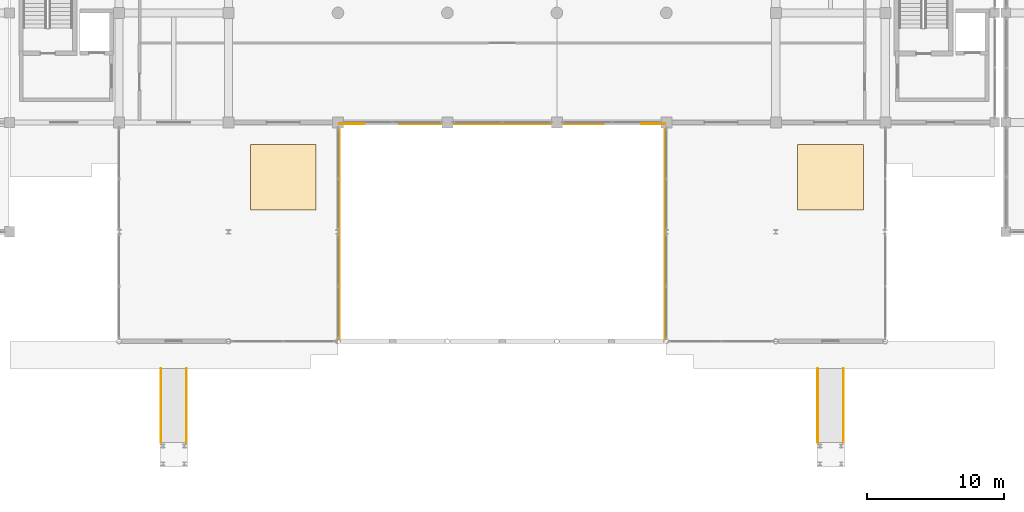
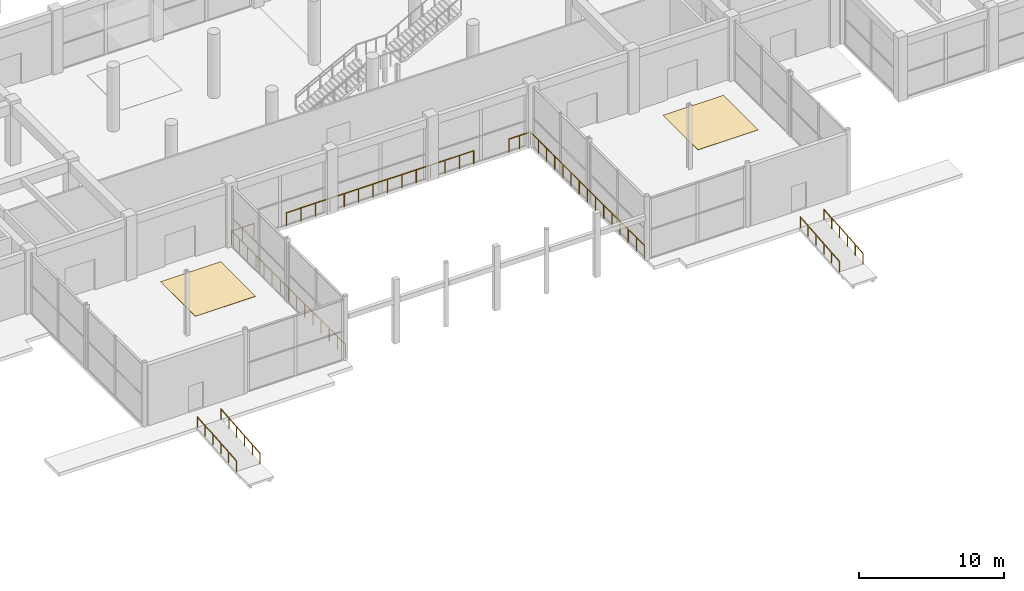
# One storey, part 70 of 86: 9 railings, 2 coverings.
"""IFC4 building model written with IfcOpenShell, lengths in metres."""

import ifcopenshell
import ifcopenshell.guid

model = None  # the IFC model being written
_history = None  # IfcOwnerHistory: only IFC2X3 demands one
_inside = {}  # id of a spatial element -> (the spatial element, [elements in it])
_under = {}  # id of a project, library or spatial element -> (it, [spatial elements below it])
_declared = {}  # id of a project -> (the project, [libraries it declares])
_typed = {}  # id of a type object -> (the type object, [elements of that type])
_made_of = {}  # id of a material, layer set ... -> (it, [elements and type objects made of it])


def new_model(schema):
    """Start an empty IFC model of exactly this schema.

    Asked for "IFC4X3", IfcOpenShell would pick the latest addendum, in which some entities
    have other attributes; the version numbers below select the first issue.
    IFC2X3 requires an IfcOwnerHistory on every rooted entity: one is made here for all.
    """
    global model, _history
    if schema == "IFC4X3":
        model = ifcopenshell.file(schema_version=(4, 3, 0, 0))
    else:
        model = ifcopenshell.file(schema=schema)
    _inside.clear()
    _under.clear()
    _declared.clear()
    _typed.clear()
    _made_of.clear()
    _history = None
    if model.schema == "IFC2X3":
        org = make("IfcOrganization", Name="unknown")
        user = make(
            "IfcPersonAndOrganization",
            ThePerson=make("IfcPerson", FamilyName="unknown"),
            TheOrganization=org,
        )
        app = make(
            "IfcApplication",
            ApplicationDeveloper=org,
            Version="unknown",
            ApplicationFullName="unknown",
            ApplicationIdentifier="unknown",
        )
        _history = make(
            "IfcOwnerHistory",
            OwningUser=user,
            OwningApplication=app,
            ChangeAction="ADDED",
            CreationDate=0,
        )
    return model


def make(cls, **values):
    """One entity of the class cls with the attributes given. An attribute that is None is left unset."""
    return model.create_entity(
        cls, **{name: value for name, value in values.items() if value is not None}
    )


def rooted(cls, **values):
    """An entity with a GlobalId (a new one), such as an element, a storey or a relation."""
    return make(cls, GlobalId=ifcopenshell.guid.new(), OwnerHistory=_history, **values)


def si_unit(unit_type, name, prefix=None):
    """IfcSIUnit, for example si_unit("LENGTHUNIT", "METRE", prefix="MILLI")."""
    return make("IfcSIUnit", UnitType=unit_type, Prefix=prefix, Name=name)


def assignment(units):
    """IfcUnitAssignment: the units of a project."""
    return None if units is None else make("IfcUnitAssignment", Units=units)


def point(xyz):
    """IfcCartesianPoint."""
    return None if xyz is None else make("IfcCartesianPoint", Coordinates=xyz)


def direction(xyz):
    """IfcDirection."""
    return None if xyz is None else make("IfcDirection", DirectionRatios=xyz)


def frame(location, z_axis=None, x_axis=None):
    """IfcAxis2Placement3D, a coordinate frame: its origin and axes. An axis left out is left unset."""
    return make(
        "IfcAxis2Placement3D",
        Location=point(location),
        Axis=direction(z_axis),
        RefDirection=direction(x_axis),
    )


def frame_2d(location, x_axis=None):
    """IfcAxis2Placement2D, a coordinate frame in the plane: its origin and x axis."""
    return make(
        "IfcAxis2Placement2D", Location=point(location), RefDirection=direction(x_axis)
    )


def origin():
    """The frame at (0, 0, 0) with its axes left unset."""
    return frame((0.0, 0.0, 0.0))


def origin_2d():
    """The frame at (0, 0) in the plane with its x axis left unset."""
    return frame_2d((0.0, 0.0))


def place(relative_to, where):
    """IfcLocalPlacement: puts the frame where relative to a parent placement (None: the world)."""
    return make(
        "IfcLocalPlacement", PlacementRelTo=relative_to, RelativePlacement=where
    )


def context(
    kind, dimensions, precision=None, world=None, true_north=None, identifier=None
):
    """IfcGeometricRepresentationContext, for example the 3D "Model" context."""
    return make(
        "IfcGeometricRepresentationContext",
        ContextIdentifier=identifier,
        ContextType=kind,
        CoordinateSpaceDimension=dimensions,
        Precision=precision,
        WorldCoordinateSystem=world,
        TrueNorth=true_north,
    )


def subcontext(parent, identifier, kind, view, scale=None):
    """IfcGeometricRepresentationSubContext, for example "Body" below "Model"."""
    return make(
        "IfcGeometricRepresentationSubContext",
        ContextIdentifier=identifier,
        ContextType=kind,
        ParentContext=parent,
        TargetScale=scale,
        TargetView=view,
    )


def project(units=None, contexts=None):
    """IfcProject with its units and contexts."""
    return rooted(
        "IfcProject",
        Name="project",
        RepresentationContexts=contexts,
        UnitsInContext=assignment(units),
    )


def spatial(cls, under=None, at=None, **own):
    """A site, building, storey or space (cls), placed at a placement, below another one or the project."""
    s = rooted(cls, ObjectPlacement=at, **own)
    if under is not None:
        _under.setdefault(under.id(), (under, []))[1].append(s)
    return s


def profile(cls, at=None, kind="AREA", **sizes):
    """A parametric profile (cls). Its sizes go by their IFC names, for example OverallWidth=200.0."""
    return make(cls, ProfileType=kind, Position=at, **sizes)


def rectangle(**sizes):
    """IfcRectangleProfileDef."""
    return profile("IfcRectangleProfileDef", **sizes)


def circle(**sizes):
    """IfcCircleProfileDef."""
    return profile("IfcCircleProfileDef", **sizes)


def extrude(swept, where, along, depth):
    """IfcExtrudedAreaSolid: the profile swept, set in the frame where, extruded along a direction by depth."""
    return make(
        "IfcExtrudedAreaSolid",
        SweptArea=swept,
        Position=where,
        ExtrudedDirection=direction(along),
        Depth=depth,
    )


def shape(context_of_items, identifier, shape_type, items):
    """IfcShapeRepresentation: the items that make up one representation, for example the "Body"."""
    return make(
        "IfcShapeRepresentation",
        ContextOfItems=context_of_items,
        RepresentationIdentifier=identifier,
        RepresentationType=shape_type,
        Items=items,
    )


def material(Name=None, Category=None):
    """IfcMaterial."""
    return make("IfcMaterial", Name=Name, Category=Category)


def layer(
    of_material, thickness, ventilated=None, Name=None, Category=None, Priority=None
):
    """IfcMaterialLayer: one layer of a wall or slab, of a material (None: an air gap)."""
    return make(
        "IfcMaterialLayer",
        Material=of_material,
        LayerThickness=thickness,
        IsVentilated=ventilated,
        Name=Name,
        Category=Category,
        Priority=Priority,
    )


def layer_set(layers, Name=None):
    """IfcMaterialLayerSet."""
    return make("IfcMaterialLayerSet", MaterialLayers=layers, LayerSetName=Name)


def made_of(thing, what):
    """Note that an element or type object is made of a material, layer set ...; save() writes the relation."""
    if what is not None:
        _made_of.setdefault(what.id(), (what, []))[1].append(thing)
    return thing


def type_object(cls, material=None, **own):
    """A type object (cls), such as IfcWallType, which elements share."""
    return made_of(rooted(cls, **own), material)


def element(
    cls,
    number,
    at=None,
    inside=None,
    cuts=None,
    type_object=None,
    material=None,
    context=None,
    identifier="Body",
    shape_type=None,
    held_by="IfcProductDefinitionShape",
    body=None,
    shapes=None,
    **own,
):
    """One element of the class cls, such as IfcWall. Its Tag is "e" and its number.

    at: its placement. inside: the storey or other place that contains it. cuts: it is an
    opening in that element (IfcRelVoidsElement). A single representation is given by context,
    identifier, shape_type and body (its items); several are given by shapes. held_by: the class
    of the entity that holds the representations. save() writes the other relations.
    """
    e = rooted(cls, Tag="e%d" % number, ObjectPlacement=at, **own)
    if body is not None:
        shapes = [shape(context, identifier, shape_type, body)]
    if shapes is not None:
        e.Representation = make(held_by, Representations=shapes)
    if inside is not None:
        _inside.setdefault(inside.id(), (inside, []))[1].append(e)
    if cuts is not None:
        rooted(
            "IfcRelVoidsElement", RelatingBuildingElement=cuts, RelatedOpeningElement=e
        )
    if type_object is not None:
        _typed.setdefault(type_object.id(), (type_object, []))[1].append(e)
    return made_of(e, material)


def aggregate(whole, parts):
    """IfcRelAggregates: a whole, such as a stair, and the parts it consists of."""
    return rooted("IfcRelAggregates", RelatingObject=whole, RelatedObjects=parts)


def save(model, path):
    """Write the relations noted so far, then the file.

    IfcRelAggregates (storeys below a building ...), IfcRelContainedInSpatialStructure (elements
    in a storey), IfcRelDefinesByType, IfcRelAssociatesMaterial and IfcRelDeclares: one each for
    every whole, place, type object, material and project.
    """
    for whole, parts in _under.values():
        aggregate(whole, parts)
    for where, things in _inside.values():
        rooted(
            "IfcRelContainedInSpatialStructure",
            RelatedElements=things,
            RelatingStructure=where,
        )
    for kind, things in _typed.values():
        rooted("IfcRelDefinesByType", RelatedObjects=things, RelatingType=kind)
    for what, things in _made_of.values():
        rooted("IfcRelAssociatesMaterial", RelatedObjects=things, RelatingMaterial=what)
    for by, libraries in _declared.values():
        rooted("IfcRelDeclares", RelatingContext=by, RelatedDefinitions=libraries)
    model.write(path)


model = new_model("IFC4")

# Units and contexts
model_context = context("Model", 3, precision=1e-05, world=origin(), true_north=direction((0.0, 1.0)))
body_context = subcontext(model_context, "Body", "Model", "MODEL_VIEW")
ifc_project = project(units=[si_unit("LENGTHUNIT", "METRE"), si_unit("AREAUNIT", "SQUARE_METRE"), si_unit("VOLUMEUNIT", "CUBIC_METRE"), si_unit("PLANEANGLEUNIT", "RADIAN"), si_unit("MASSUNIT", "GRAM", prefix="KILO")], contexts=[model_context])

# Site, building, storey
site_placement = place(None, origin())
site = spatial("IfcSite", under=ifc_project, at=site_placement, CompositionType="ELEMENT")
building_placement = place(site_placement, origin())
building = spatial("IfcBuilding", under=site, at=building_placement, Name="Kenh Van Central Station", CompositionType="ELEMENT")
storey_placement = place(building_placement, origin())
storey = spatial("IfcBuildingStorey", under=building, at=storey_placement, Name="L00", CompositionType="ELEMENT", Elevation=0.0)

# Coverings
ifc_material_1 = material(Name="Polished station granite terrazzo", Category="masonry")
ifc_layer = layer(ifc_material_1, 0.02001953125, Name="Polished station granite terrazzo")
ifc_layer_set = layer_set([ifc_layer], Name="Polished station granite terrazzo")
covering_type = type_object("IfcCoveringType", Name="COV-FLR-GRANITE", PredefinedType="FLOORING", material=ifc_layer_set)
for number, where, z_axis, x_axis, name in (
    (1, (68.0, 12.0, 0.0), (0.0, 0.0, 1.0), (1.0, 0.0, 0.0), "L00 granite floor finish 025"),
    (2, (108.0, 12.0, 0.0), (0.0, 0.0, 1.0), (1.0, 0.0, 0.0), "L00 granite floor finish 026"),
):
    element("IfcCovering", number, at=place(storey_placement, frame(where, z_axis=z_axis, x_axis=x_axis)), inside=storey, type_object=covering_type, Name=name, PredefinedType="FLOORING", context=body_context, shape_type="SweptSolid", body=[
        extrude(rectangle(XDim=4.800048828125, YDim=4.800048828125, at=origin_2d()), origin(), (0.0, 0.0, 1.0), 0.02001953125),
    ])

# Railings
ifc_material_2 = material(Name="Champagne anodised aluminium", Category="aluminium")
railing_type_1 = type_object("IfcRailingType", Name="RAIL-CORE-HND90", PredefinedType="HANDRAIL", material=ifc_material_2)
for number, where, name in (
    (3, (60.93994140625, -7.39990234375, -0.449951171875), "Forecourt West Drop-Off Accessible Ramp handrail 1"),
    (4, (59.06005859375, -7.39990234375, -0.449951171875), "Forecourt West Drop-Off Accessible Ramp handrail 2"),
    (5, (108.93994140625, -7.39990234375, -0.449951171875), "Forecourt East Drop-Off Accessible Ramp handrail 1"),
    (6, (107.06005859375, -7.39990234375, -0.449951171875), "Forecourt East Drop-Off Accessible Ramp handrail 2"),
):
    element("IfcRailing", number, at=place(storey_placement, frame(where)), inside=storey, type_object=railing_type_1, Name=name, PredefinedType="HANDRAIL", context=body_context, shape_type="SweptSolid", body=[
        extrude(circle(Radius=0.02392578125, at=origin_2d()), frame((0.0, 0.0, 0.8759765625), z_axis=(0.0, 0.996546379678, 0.083038022323), x_axis=(-1.0, 0.0, 0.0)), (0.0, 0.0, 1.0), 5.418701171875),
        extrude(circle(Radius=0.02099609375, at=origin_2d()), origin(), (0.0, 0.0, 1.0), 0.851806640625),
        extrude(circle(Radius=0.02099609375, at=origin_2d()), frame((0.0, 1.080078125, 0.090087890625)), (0.0, 0.0, 1.0), 0.851806640625),
        extrude(circle(Radius=0.02099609375, at=origin_2d()), frame((0.0, 2.159912109375, 0.179931640625)), (0.0, 0.0, 1.0), 0.851806640625),
        extrude(circle(Radius=0.02099609375, at=origin_2d()), frame((0.0, 3.239990234375, 0.27001953125)), (0.0, 0.0, 1.0), 0.851806640625),
        extrude(circle(Radius=0.02099609375, at=origin_2d()), frame((0.0, 4.31982421875, 0.35986328125)), (0.0, 0.0, 1.0), 0.851806640625),
        extrude(circle(Radius=0.02099609375, at=origin_2d()), frame((0.0, 5.39990234375, 0.449951171875)), (0.0, 0.0, 1.0), 0.851806640625),
    ])
railing_type_2 = type_object("IfcRailingType", Name="RAIL-PUB-BAL112", PredefinedType="BALUSTRADE", material=ifc_material_2)
railing_1_placement = place(storey_placement, frame((72.10009765625, 15.89990234375, 0.0)))
element("IfcRailing", 7, at=railing_1_placement, inside=storey, type_object=railing_type_2, Name="L00 atrium void balustrade 01", PredefinedType="BALUSTRADE", context=body_context, shape_type="SweptSolid", body=[
    extrude(circle(Radius=0.02392578125, at=origin_2d()), frame((0.0, 0.0, 1.09619140625), z_axis=(1.0, 0.0, 0.0), x_axis=(0.0, 1.0, 0.0)), (0.0, 0.0, 1.0), 1.7998046875),
    extrude(circle(Radius=0.02099609375, at=origin_2d()), origin(), (0.0, 0.0, 1.0), 1.072021484375),
    extrude(circle(Radius=0.02099609375, at=origin_2d()), frame((0.89990234375, 0.0, 0.0)), (0.0, 0.0, 1.0), 1.072021484375),
    extrude(circle(Radius=0.02099609375, at=origin_2d()), frame((1.7998046875, 0.0, 0.0)), (0.0, 0.0, 1.0), 1.072021484375),
])
railing_2_placement = place(storey_placement, frame((76.5, 15.89990234375, 0.0)))
element("IfcRailing", 8, at=railing_2_placement, inside=storey, type_object=railing_type_2, Name="L00 atrium void balustrade 02", PredefinedType="BALUSTRADE", context=body_context, shape_type="SweptSolid", body=[
    extrude(circle(Radius=0.02392578125, at=origin_2d()), frame((0.0, 0.0, 1.09619140625), z_axis=(1.0, 0.0, 0.0), x_axis=(0.0, 1.0, 0.0)), (0.0, 0.0, 1.0), 14.89990234375),
    extrude(circle(Radius=0.02099609375, at=origin_2d()), origin(), (0.0, 0.0, 1.0), 1.072021484375),
    extrude(circle(Radius=0.02099609375, at=origin_2d()), frame((1.146240234375, 0.0, 0.0)), (0.0, 0.0, 1.0), 1.072021484375),
    extrude(circle(Radius=0.02099609375, at=origin_2d()), frame((2.292236328125, 0.0, 0.0)), (0.0, 0.0, 1.0), 1.072021484375),
    extrude(circle(Radius=0.02099609375, at=origin_2d()), frame((3.4384765625, 0.0, 0.0)), (0.0, 0.0, 1.0), 1.072021484375),
    extrude(circle(Radius=0.02099609375, at=origin_2d()), frame((4.58447265625, 0.0, 0.0)), (0.0, 0.0, 1.0), 1.072021484375),
    extrude(circle(Radius=0.02099609375, at=origin_2d()), frame((5.730712890625, 0.0, 0.0)), (0.0, 0.0, 1.0), 1.072021484375),
    extrude(circle(Radius=0.02099609375, at=origin_2d()), frame((6.876953125, 0.0, 0.0)), (0.0, 0.0, 1.0), 1.072021484375),
    extrude(circle(Radius=0.02099609375, at=origin_2d()), frame((8.02294921875, 0.0, 0.0)), (0.0, 0.0, 1.0), 1.072021484375),
    extrude(circle(Radius=0.02099609375, at=origin_2d()), frame((9.169189453125, 0.0, 0.0)), (0.0, 0.0, 1.0), 1.072021484375),
    extrude(circle(Radius=0.02099609375, at=origin_2d()), frame((10.3154296875, 0.0, 0.0)), (0.0, 0.0, 1.0), 1.072021484375),
    extrude(circle(Radius=0.02099609375, at=origin_2d()), frame((11.46142578125, 0.0, 0.0)), (0.0, 0.0, 1.0), 1.072021484375),
    extrude(circle(Radius=0.02099609375, at=origin_2d()), frame((12.607666015625, 0.0, 0.0)), (0.0, 0.0, 1.0), 1.072021484375),
    extrude(circle(Radius=0.02099609375, at=origin_2d()), frame((13.753662109375, 0.0, 0.0)), (0.0, 0.0, 1.0), 1.072021484375),
    extrude(circle(Radius=0.02099609375, at=origin_2d()), frame((14.89990234375, 0.0, 0.0)), (0.0, 0.0, 1.0), 1.072021484375),
])
railing_3_placement = place(storey_placement, frame((94.199951171875, 15.89990234375, 0.0)))
element("IfcRailing", 9, at=railing_3_placement, inside=storey, type_object=railing_type_2, Name="L00 atrium void balustrade 03", PredefinedType="BALUSTRADE", context=body_context, shape_type="SweptSolid", body=[
    extrude(circle(Radius=0.02392578125, at=origin_2d()), frame((0.0, 0.0, 1.09619140625), z_axis=(1.0, 0.0, 0.0), x_axis=(0.0, 1.0, 0.0)), (0.0, 0.0, 1.0), 1.699951171875),
    extrude(circle(Radius=0.02099609375, at=origin_2d()), origin(), (0.0, 0.0, 1.0), 1.072021484375),
    extrude(circle(Radius=0.02099609375, at=origin_2d()), frame((0.85009765625, 0.0, 0.0)), (0.0, 0.0, 1.0), 1.072021484375),
    extrude(circle(Radius=0.02099609375, at=origin_2d()), frame((1.699951171875, 0.0, 0.0)), (0.0, 0.0, 1.0), 1.072021484375),
])
railing_4_placement = place(storey_placement, frame((72.10009765625, 0.14990234375, 0.0)))
element("IfcRailing", 10, at=railing_4_placement, inside=storey, type_object=railing_type_2, Name="L00 atrium void balustrade 04", PredefinedType="BALUSTRADE", context=body_context, shape_type="SweptSolid", body=[
    extrude(circle(Radius=0.02392578125, at=origin_2d()), frame((0.0, 0.0, 1.09619140625), z_axis=(0.0, 1.0, 0.0), x_axis=(-1.0, 0.0, 0.0)), (0.0, 0.0, 1.0), 15.75),
    extrude(circle(Radius=0.02099609375, at=origin_2d()), origin(), (0.0, 0.0, 1.0), 1.072021484375),
    extrude(circle(Radius=0.02099609375, at=origin_2d()), frame((0.0, 1.125, 0.0)), (0.0, 0.0, 1.0), 1.072021484375),
    extrude(circle(Radius=0.02099609375, at=origin_2d()), frame((0.0, 2.25, 0.0)), (0.0, 0.0, 1.0), 1.072021484375),
    extrude(circle(Radius=0.02099609375, at=origin_2d()), frame((0.0, 3.375, 0.0)), (0.0, 0.0, 1.0), 1.072021484375),
    extrude(circle(Radius=0.02099609375, at=origin_2d()), frame((0.0, 4.5, 0.0)), (0.0, 0.0, 1.0), 1.072021484375),
    extrude(circle(Radius=0.02099609375, at=origin_2d()), frame((0.0, 5.625, 0.0)), (0.0, 0.0, 1.0), 1.072021484375),
    extrude(circle(Radius=0.02099609375, at=origin_2d()), frame((0.0, 6.75, 0.0)), (0.0, 0.0, 1.0), 1.072021484375),
    extrude(circle(Radius=0.02099609375, at=origin_2d()), frame((0.0, 7.875, 0.0)), (0.0, 0.0, 1.0), 1.072021484375),
    extrude(circle(Radius=0.02099609375, at=origin_2d()), frame((0.0, 9.0, 0.0)), (0.0, 0.0, 1.0), 1.072021484375),
    extrude(circle(Radius=0.02099609375, at=origin_2d()), frame((0.0, 10.125, 0.0)), (0.0, 0.0, 1.0), 1.072021484375),
    extrude(circle(Radius=0.02099609375, at=origin_2d()), frame((0.0, 11.25, 0.0)), (0.0, 0.0, 1.0), 1.072021484375),
    extrude(circle(Radius=0.02099609375, at=origin_2d()), frame((0.0, 12.375, 0.0)), (0.0, 0.0, 1.0), 1.072021484375),
    extrude(circle(Radius=0.02099609375, at=origin_2d()), frame((0.0, 13.5, 0.0)), (0.0, 0.0, 1.0), 1.072021484375),
    extrude(circle(Radius=0.02099609375, at=origin_2d()), frame((0.0, 14.625, 0.0)), (0.0, 0.0, 1.0), 1.072021484375),
    extrude(circle(Radius=0.02099609375, at=origin_2d()), frame((0.0, 15.75, 0.0)), (0.0, 0.0, 1.0), 1.072021484375),
])
railing_5_placement = place(storey_placement, frame((95.89990234375, 0.14990234375, 0.0)))
element("IfcRailing", 11, at=railing_5_placement, inside=storey, type_object=railing_type_2, Name="L00 atrium void balustrade 05", PredefinedType="BALUSTRADE", context=body_context, shape_type="SweptSolid", body=[
    extrude(circle(Radius=0.02392578125, at=origin_2d()), frame((0.0, 0.0, 1.09619140625), z_axis=(0.0, 1.0, 0.0), x_axis=(-1.0, 0.0, 0.0)), (0.0, 0.0, 1.0), 15.75),
    extrude(circle(Radius=0.02099609375, at=origin_2d()), origin(), (0.0, 0.0, 1.0), 1.072021484375),
    extrude(circle(Radius=0.02099609375, at=origin_2d()), frame((0.0, 1.125, 0.0)), (0.0, 0.0, 1.0), 1.072021484375),
    extrude(circle(Radius=0.02099609375, at=origin_2d()), frame((0.0, 2.25, 0.0)), (0.0, 0.0, 1.0), 1.072021484375),
    extrude(circle(Radius=0.02099609375, at=origin_2d()), frame((0.0, 3.375, 0.0)), (0.0, 0.0, 1.0), 1.072021484375),
    extrude(circle(Radius=0.02099609375, at=origin_2d()), frame((0.0, 4.5, 0.0)), (0.0, 0.0, 1.0), 1.072021484375),
    extrude(circle(Radius=0.02099609375, at=origin_2d()), frame((0.0, 5.625, 0.0)), (0.0, 0.0, 1.0), 1.072021484375),
    extrude(circle(Radius=0.02099609375, at=origin_2d()), frame((0.0, 6.75, 0.0)), (0.0, 0.0, 1.0), 1.072021484375),
    extrude(circle(Radius=0.02099609375, at=origin_2d()), frame((0.0, 7.875, 0.0)), (0.0, 0.0, 1.0), 1.072021484375),
    extrude(circle(Radius=0.02099609375, at=origin_2d()), frame((0.0, 9.0, 0.0)), (0.0, 0.0, 1.0), 1.072021484375),
    extrude(circle(Radius=0.02099609375, at=origin_2d()), frame((0.0, 10.125, 0.0)), (0.0, 0.0, 1.0), 1.072021484375),
    extrude(circle(Radius=0.02099609375, at=origin_2d()), frame((0.0, 11.25, 0.0)), (0.0, 0.0, 1.0), 1.072021484375),
    extrude(circle(Radius=0.02099609375, at=origin_2d()), frame((0.0, 12.375, 0.0)), (0.0, 0.0, 1.0), 1.072021484375),
    extrude(circle(Radius=0.02099609375, at=origin_2d()), frame((0.0, 13.5, 0.0)), (0.0, 0.0, 1.0), 1.072021484375),
    extrude(circle(Radius=0.02099609375, at=origin_2d()), frame((0.0, 14.625, 0.0)), (0.0, 0.0, 1.0), 1.072021484375),
    extrude(circle(Radius=0.02099609375, at=origin_2d()), frame((0.0, 15.75, 0.0)), (0.0, 0.0, 1.0), 1.072021484375),
])

save(model, "model.ifc")
